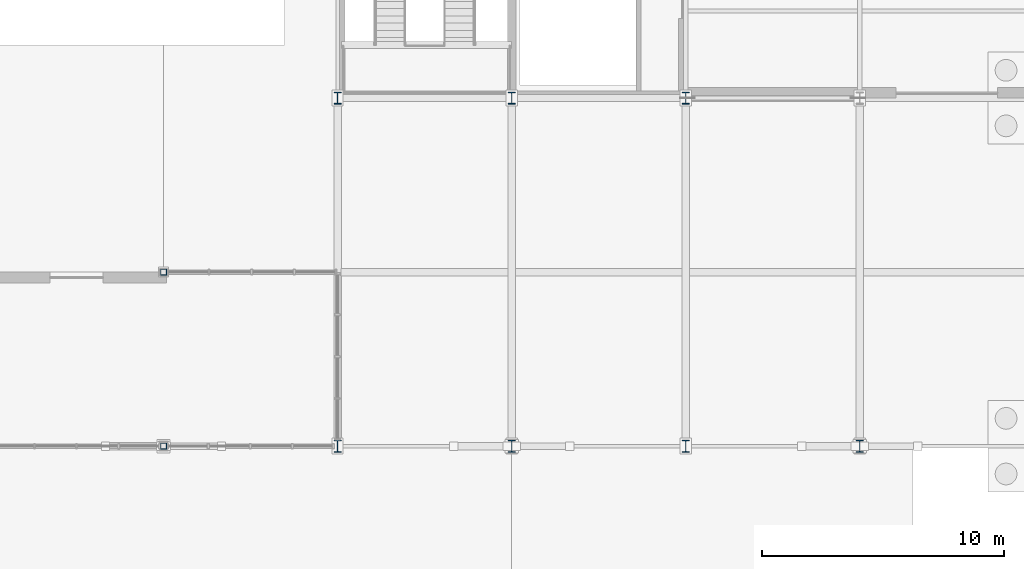
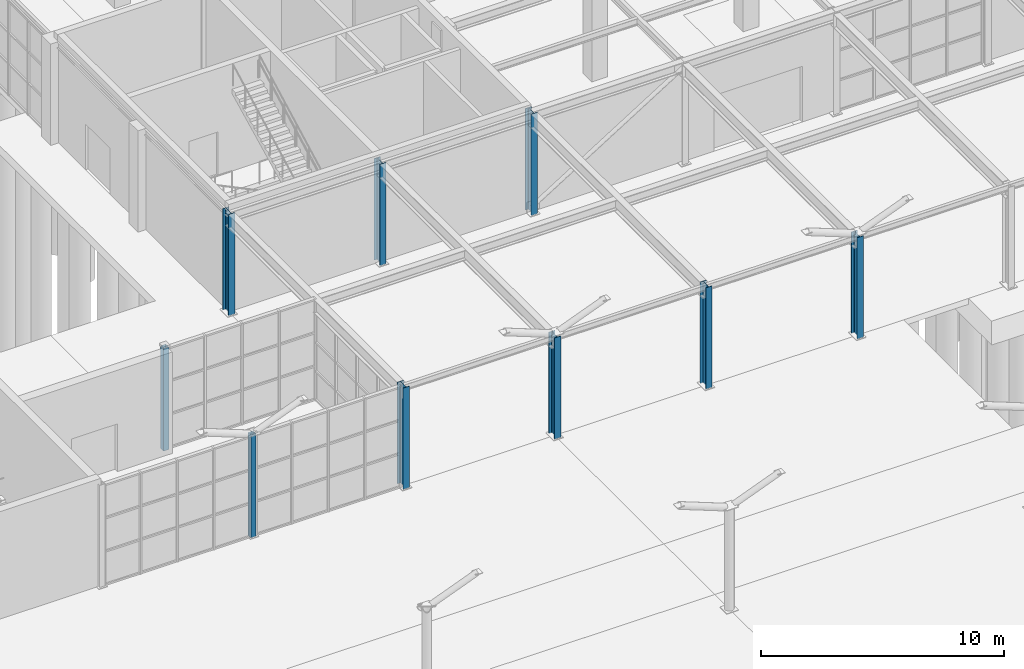
# One storey, part 17 of 75: 9 columns.
"""IFC4 building model written with IfcOpenShell, lengths in metres."""

from ifc_helpers import new_model, si_unit, direction, frame, origin, origin_2d, place, context, subcontext, project, spatial, hollow_rectangle, i_section, extrude, material, material_profile, profile_set, type_object, element, save


model = new_model("IFC4")

# Units and contexts
model_context = context("Model", 3, precision=1e-05, world=origin(), true_north=direction((0.0, 1.0)))
body_context = subcontext(model_context, "Body", "Model", "MODEL_VIEW")
ifc_project = project(units=[si_unit("LENGTHUNIT", "METRE"), si_unit("AREAUNIT", "SQUARE_METRE"), si_unit("VOLUMEUNIT", "CUBIC_METRE"), si_unit("PLANEANGLEUNIT", "RADIAN"), si_unit("MASSUNIT", "GRAM", prefix="KILO")], contexts=[model_context])

# Site, building, storey
site_placement = place(None, origin())
site = spatial("IfcSite", under=ifc_project, at=site_placement, CompositionType="ELEMENT")
building_placement = place(site_placement, origin())
building = spatial("IfcBuilding", under=site, at=building_placement, Name="Leyfeld Transit Interchange", CompositionType="ELEMENT")
storey_placement = place(building_placement, origin())
storey = spatial("IfcBuildingStorey", under=building, at=storey_placement, Name="L00", CompositionType="ELEMENT", Elevation=0.0)

# Columns
ifc_material = material(Name="Steel S355J2", Category="steel")
ifc_material_profile_1 = material_profile(ifc_material, i_section(OverallWidth=0.300048828125, OverallDepth=0.5, WebThickness=0.014404296875, FlangeThickness=0.028076171875, FilletRadius=0.027099609375, at=origin_2d()), Name="HEB 500")
ifc_profile_set_1 = profile_set([ifc_material_profile_1], Name="Steel S355J2")
column_type_1 = type_object("IfcColumnType", Name="COL-STL-HEB500", PredefinedType="COLUMN", material=ifc_profile_set_1)
for number, where, z_axis, x_axis, name in (
    (1, (136.800048828125, 43.199951171875, 0.0), (0.0, 0.0, 1.0), (1.0, 0.0, 0.0), "Column COL-L00-1368_0432"),
    (2, (136.800048828125, 57.60009765625, 0.0), (0.0, 0.0, 1.0), (1.0, 0.0, 0.0), "Column COL-L00-1368_0576"),
    (3, (144.0, 43.199951171875, 0.0), (0.0, 0.0, 1.0), (1.0, 0.0, 0.0), "Column COL-L00-1440_0432"),
    (4, (144.0, 57.60009765625, 0.0), (0.0, 0.0, 1.0), (1.0, 0.0, 0.0), "Column COL-L00-1440_0576"),
    (5, (151.199951171875, 43.199951171875, 0.0), (0.0, 0.0, 1.0), (1.0, 0.0, 0.0), "Column COL-L00-1512_0432"),
    (6, (151.199951171875, 57.60009765625, 0.0), (0.0, 0.0, 1.0), (1.0, 0.0, 0.0), "Column COL-L00-1512_0576"),
    (7, (158.39990234375, 43.199951171875, 0.0), (0.0, 0.0, 1.0), (1.0, 0.0, 0.0), "Column COL-L00-1584_0432"),
):
    element("IfcColumn", number, at=place(storey_placement, frame(where, z_axis=z_axis, x_axis=x_axis)), inside=storey, type_object=column_type_1, Name=name, PredefinedType="COLUMN", context=body_context, shape_type="SweptSolid", body=[
        extrude(i_section(OverallWidth=0.300048828125, OverallDepth=0.5, WebThickness=0.014404296875, FlangeThickness=0.028076171875, FilletRadius=0.027099609375, at=origin_2d()), origin(), (0.0, 0.0, 1.0), 5.10009765625),
    ])
ifc_material_profile_2 = material_profile(ifc_material, hollow_rectangle(XDim=0.25, YDim=0.25, WallThickness=0.012451171875, at=origin_2d()), Name="SHS 250x250x12.5")
ifc_profile_set_2 = profile_set([ifc_material_profile_2], Name="Steel S355J2")
column_type_2 = type_object("IfcColumnType", Name="COL-STL-SHS250", PredefinedType="COLUMN", material=ifc_profile_set_2)
for number, where, z_axis, x_axis, name in (
    (8, (129.60009765625, 43.199951171875, 0.0), (0.0, 0.0, 1.0), (1.0, 0.0, 0.0), "Column COL-L00-1296_0432"),
    (9, (129.60009765625, 50.39990234375, 0.0), (0.0, 0.0, 1.0), (1.0, 0.0, 0.0), "Column COL-L00-1296_0504"),
):
    element("IfcColumn", number, at=place(storey_placement, frame(where, z_axis=z_axis, x_axis=x_axis)), inside=storey, type_object=column_type_2, Name=name, PredefinedType="COLUMN", context=body_context, shape_type="SweptSolid", body=[
        extrude(hollow_rectangle(XDim=0.25, YDim=0.25, WallThickness=0.012451171875, at=origin_2d()), origin(), (0.0, 0.0, 1.0), 5.159912109375),
    ])

save(model, "model.ifc")
